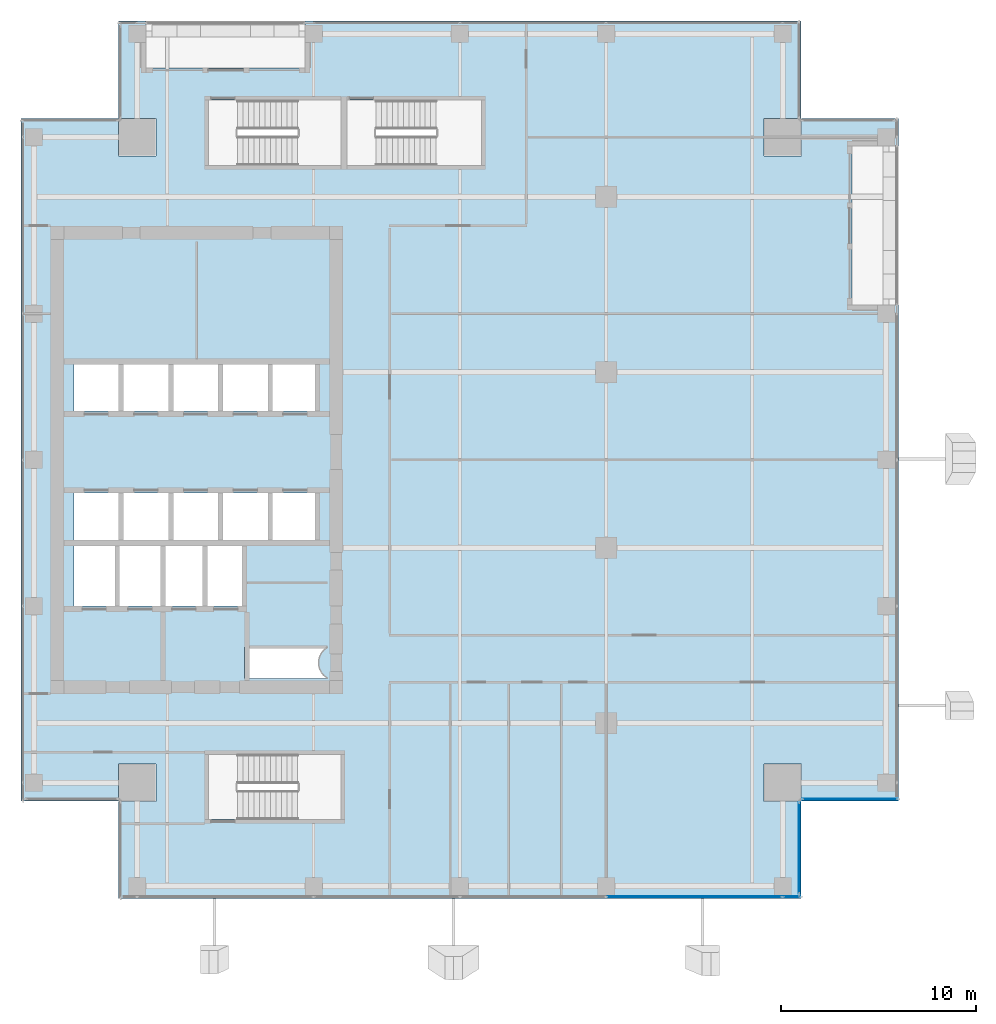
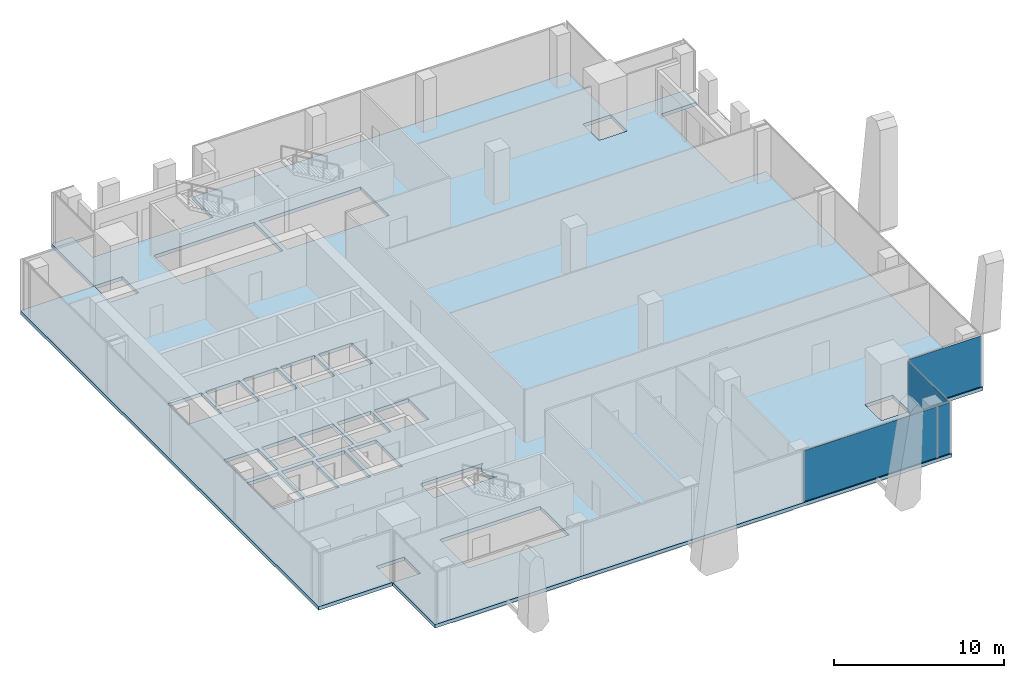
# One storey, part 26 of 35: 4 plates, 1 slab, 3 elements without a shape of their own.
"""IFC4 building model written with IfcOpenShell, lengths in metres."""

from ifc_helpers import new_model, si_unit, direction, frame, origin, origin_2d, place, context, subcontext, project, spatial, polyline, rectangle, outline, extrude, source, transform, mapped, material, layer, layer_set, type_object, element, aggregate, save


model = new_model("IFC4")

# Units and contexts
model_context = context("Model", 3, precision=1e-05, world=origin(), true_north=direction((0.0, 1.0)))
body_context = subcontext(model_context, "Body", "Model", "MODEL_VIEW")
ifc_project = project(units=[si_unit("LENGTHUNIT", "METRE"), si_unit("AREAUNIT", "SQUARE_METRE"), si_unit("VOLUMEUNIT", "CUBIC_METRE"), si_unit("PLANEANGLEUNIT", "RADIAN"), si_unit("MASSUNIT", "GRAM", prefix="KILO")], contexts=[model_context])

# Site, building, storey
site_placement = place(None, origin())
site = spatial("IfcSite", under=ifc_project, at=site_placement, CompositionType="ELEMENT")
building_placement = place(site_placement, origin())
building = spatial("IfcBuilding", under=site, at=building_placement, Name="Khomas Fold Tower", CompositionType="ELEMENT")
storey_placement = place(building_placement, frame((0.0, 0.0, 250.199951171875)))
storey = spatial("IfcBuildingStorey", under=building, at=storey_placement, Name="L56", CompositionType="ELEMENT", Elevation=250.199951171875)

# Slab
ifc_material_1 = material(Name="Concrete C40/50", Category="concrete")
ifc_layer_1 = layer(ifc_material_1, 0.25)
ifc_layer_set_1 = layer_set([ifc_layer_1], Name="Concrete C40/50")
slab_type = type_object("IfcSlabType", Name="RC floor slab 250", PredefinedType="FLOOR", material=ifc_layer_set_1)
shared_shape_1 = source(origin(), body_context, "Body", "SweptSolid", [
    extrude(outline(polyline([(4.5, 9.5), (9.4951171875, 9.5), (9.4951171875, 11.405029296875), (11.405029296875, 11.405029296875), (11.405029296875, 9.4951171875), (9.5, 9.4951171875), (9.5, 4.5), (44.5, 4.5), (44.5, 9.4951171875), (42.594970703125, 9.4951171875), (42.594970703125, 11.405029296875), (44.5048828125, 11.405029296875), (44.5048828125, 9.5), (49.5, 9.5), (49.5, 34.949951171875), (47.10009765625, 34.949951171875), (47.10009765625, 43.10009765625), (49.5, 43.10009765625), (49.5, 44.5), (44.5048828125, 44.5), (44.5048828125, 42.594970703125), (42.594970703125, 42.594970703125), (42.594970703125, 44.5048828125), (44.5, 44.5048828125), (44.5, 49.5), (19.050048828125, 49.5), (19.050048828125, 47.10009765625), (10.89990234375, 47.10009765625), (10.89990234375, 49.5), (9.5, 49.5), (9.5, 44.5048828125), (11.405029296875, 44.5048828125), (11.405029296875, 42.594970703125), (9.4951171875, 42.594970703125), (9.4951171875, 44.5), (4.5, 44.5), (4.5, 9.5)]), holes=[polyline([(7.199951171875, 19.5), (7.199951171875, 22.60009765625), (9.300048828125, 22.60009765625), (9.300048828125, 19.5), (7.199951171875, 19.5)]), polyline([(7.199951171875, 22.89990234375), (7.199951171875, 25.300048828125), (9.5, 25.300048828125), (9.5, 22.89990234375), (7.199951171875, 22.89990234375)]), polyline([(7.199951171875, 29.5), (7.199951171875, 31.89990234375), (9.5, 31.89990234375), (9.5, 29.5), (7.199951171875, 29.5)]), polyline([(9.550048828125, 19.5), (9.550048828125, 22.60009765625), (11.64990234375, 22.60009765625), (11.64990234375, 19.5), (9.550048828125, 19.5)]), polyline([(9.75, 22.89990234375), (9.75, 25.300048828125), (12.050048828125, 25.300048828125), (12.050048828125, 22.89990234375), (9.75, 22.89990234375)]), polyline([(9.75, 29.5), (9.75, 31.89990234375), (12.050048828125, 31.89990234375), (12.050048828125, 29.5), (9.75, 29.5)]), polyline([(11.89990234375, 19.5), (11.89990234375, 22.60009765625), (13.800048828125, 22.60009765625), (13.800048828125, 19.5), (11.89990234375, 19.5)]), polyline([(12.300048828125, 22.89990234375), (12.300048828125, 25.300048828125), (14.60009765625, 25.300048828125), (14.60009765625, 22.89990234375), (12.300048828125, 22.89990234375)]), polyline([(12.300048828125, 29.5), (12.300048828125, 31.89990234375), (14.60009765625, 31.89990234375), (14.60009765625, 29.5), (12.300048828125, 29.5)]), polyline([(14.050048828125, 19.5), (14.050048828125, 22.60009765625), (15.949951171875, 22.60009765625), (15.949951171875, 19.5), (14.050048828125, 19.5)]), polyline([(14.10009765625, 8.550048828125), (14.10009765625, 11.89990234375), (20.89990234375, 11.89990234375), (20.89990234375, 8.550048828125), (14.10009765625, 8.550048828125)]), polyline([(14.10009765625, 42.10009765625), (14.10009765625, 45.449951171875), (20.89990234375, 45.449951171875), (20.89990234375, 42.10009765625), (14.10009765625, 42.10009765625)]), polyline([(14.85009765625, 22.89990234375), (14.85009765625, 25.300048828125), (17.14990234375, 25.300048828125), (17.14990234375, 22.89990234375), (14.85009765625, 22.89990234375)]), polyline([(14.85009765625, 29.5), (14.85009765625, 31.89990234375), (17.14990234375, 31.89990234375), (17.14990234375, 29.5), (14.85009765625, 29.5)]), polyline([(15.949951171875, 15.800048828125), (15.949951171875, 17.39990234375), (20.199951171875, 17.39990234375), (20.199951171875, 17.37841796875), (20.14990234375, 17.348388671875), (20.0791015625, 17.295654296875), (20.013671875, 17.236328125), (19.954345703125, 17.1708984375), (19.901611328125, 17.10009765625), (19.856201171875, 17.0244140625), (19.818603515625, 16.9443359375), (19.788818359375, 16.861328125), (19.767333984375, 16.775634765625), (19.75439453125, 16.688232421875), (19.75, 16.60009765625), (19.75439453125, 16.51171875), (19.767333984375, 16.42431640625), (19.788818359375, 16.338623046875), (19.818603515625, 16.255615234375), (19.856201171875, 16.17578125), (19.901611328125, 16.10009765625), (19.954345703125, 16.029052734375), (20.013671875, 15.963623046875), (20.0791015625, 15.904296875), (20.14990234375, 15.851806640625), (20.199951171875, 15.82177734375), (20.199951171875, 15.800048828125), (15.949951171875, 15.800048828125)]), polyline([(17.39990234375, 22.89990234375), (17.39990234375, 25.300048828125), (19.699951171875, 25.300048828125), (19.699951171875, 22.89990234375), (17.39990234375, 22.89990234375)]), polyline([(17.39990234375, 29.5), (17.39990234375, 31.89990234375), (19.699951171875, 31.89990234375), (19.699951171875, 29.5), (17.39990234375, 29.5)]), polyline([(21.199951171875, 42.10009765625), (21.199951171875, 45.449951171875), (28.10009765625, 45.449951171875), (28.10009765625, 42.10009765625), (21.199951171875, 42.10009765625)])]), origin(), (0.0, 0.0, 1.0), 0.25),
])
slab_placement = place(storey_placement, frame((0.0, 0.0, -0.25)))
element("IfcSlab", 1, at=slab_placement, inside=storey, type_object=slab_type, Name="S-L56", PredefinedType="FLOOR", context=body_context, shape_type="MappedRepresentation", body=[
    mapped(shared_shape_1, transform((0.0, 0.0, 0.0))),
])

# Curtain wall, plates
ifc_material_2 = material(Name="Aluminium framed double glazing", Category="aluminium")
curtain_wall_type = type_object("IfcCurtainWallType", Name="SK-Unitised clear-glass wall, office floors CW2", PredefinedType="NOTDEFINED", material=ifc_material_2)
curtain_wall_1_placement = place(storey_placement, origin())
curtain_wall_1 = element("IfcCurtainWall", 2, at=curtain_wall_1_placement, inside=storey, type_object=curtain_wall_type, Name="CW2 run L56 00-0", PredefinedType="NOTDEFINED")
ifc_material_3 = material(Name="Clear double glazed unit")
ifc_layer_2 = layer(ifc_material_3, 0.030029296875)
ifc_layer_set_2 = layer_set([ifc_layer_2], Name="Clear double glazed unit")
plate_type = type_object("IfcPlateType", Name="SK-Unitised clear-glass wall, office floors glass panel CW2-P", PredefinedType="CURTAIN_PANEL", material=ifc_layer_set_2)
shared_shape_2 = source(origin(), body_context, "Body", "SweptSolid", [
    extrude(rectangle(XDim=0.860107421875, YDim=0.030029296875, at=origin_2d()), origin(), (0.0, 0.0, 1.0), 3.639892578125),
])
plate_1_placement = place(storey_placement, frame((44.010009765625, 4.60009765625, 0.0), z_axis=(0.0, 0.0, 1.0), x_axis=(1.0, 0.0, 0.0)))
plate_1 = element("IfcPlate", 3, at=plate_1_placement, type_object=plate_type, Name="CW2 glass panel 6", PredefinedType="CURTAIN_PANEL", context=body_context, shape_type="MappedRepresentation", body=[
    mapped(shared_shape_2, transform((0.0, 0.0, 0.0))),
])
shared_shape_3 = source(origin(), body_context, "Body", "SweptSolid", [
    extrude(rectangle(XDim=8.989990234375, YDim=0.030029296875, at=origin_2d()), origin(), (0.0, 0.0, 1.0), 3.639892578125),
])
plate_2_placement = place(storey_placement, frame((39.02490234375, 4.60009765625, 0.0), z_axis=(0.0, 0.0, 1.0), x_axis=(1.0, 0.0, 0.0)))
plate_2 = element("IfcPlate", 4, at=plate_2_placement, type_object=plate_type, Name="CW2 glass panel 5", PredefinedType="CURTAIN_PANEL", context=body_context, shape_type="MappedRepresentation", body=[
    mapped(shared_shape_3, transform((0.0, 0.0, 0.0))),
])
aggregate(curtain_wall_1, [plate_2, plate_1])

# Curtain wall, plate
curtain_wall_2_placement = place(storey_placement, origin())
curtain_wall_2 = element("IfcCurtainWall", 5, at=curtain_wall_2_placement, inside=storey, type_object=curtain_wall_type, Name="CW2 corner return L56 01", PredefinedType="NOTDEFINED")
shared_shape_4 = source(origin(), body_context, "Body", "SweptSolid", [
    extrude(rectangle(XDim=4.679931640625, YDim=0.030029296875, at=origin_2d()), origin(), (0.0, 0.0, 1.0), 3.639892578125),
])
plate_3_placement = place(storey_placement, frame((44.39990234375, 7.10009765625, 0.0), z_axis=(0.0, 0.0, 1.0), x_axis=(0.0, 1.0, 0.0)))
plate_3 = element("IfcPlate", 6, at=plate_3_placement, type_object=plate_type, Name="CW2 glass panel 1", PredefinedType="CURTAIN_PANEL", context=body_context, shape_type="MappedRepresentation", body=[
    mapped(shared_shape_4, transform((0.0, 0.0, 0.0))),
])
aggregate(curtain_wall_2, [plate_3])

curtain_wall_3_placement = place(storey_placement, origin())
curtain_wall_3 = element("IfcCurtainWall", 7, at=curtain_wall_3_placement, inside=storey, type_object=curtain_wall_type, Name="CW2 corner return L56 02", PredefinedType="NOTDEFINED")
shared_shape_5 = source(origin(), body_context, "Body", "SweptSolid", [
    extrude(rectangle(XDim=4.8798828125, YDim=0.030029296875, at=origin_2d()), origin(), (0.0, 0.0, 1.0), 3.639892578125),
])
plate_4_placement = place(storey_placement, frame((47.0, 9.60009765625, 0.0), z_axis=(0.0, 0.0, 1.0), x_axis=(1.0, 0.0, 0.0)))
plate_4 = element("IfcPlate", 8, at=plate_4_placement, type_object=plate_type, Name="CW2 glass panel 1", PredefinedType="CURTAIN_PANEL", context=body_context, shape_type="MappedRepresentation", body=[
    mapped(shared_shape_5, transform((0.0, 0.0, 0.0))),
])
aggregate(curtain_wall_3, [plate_4])

save(model, "model.ifc")
